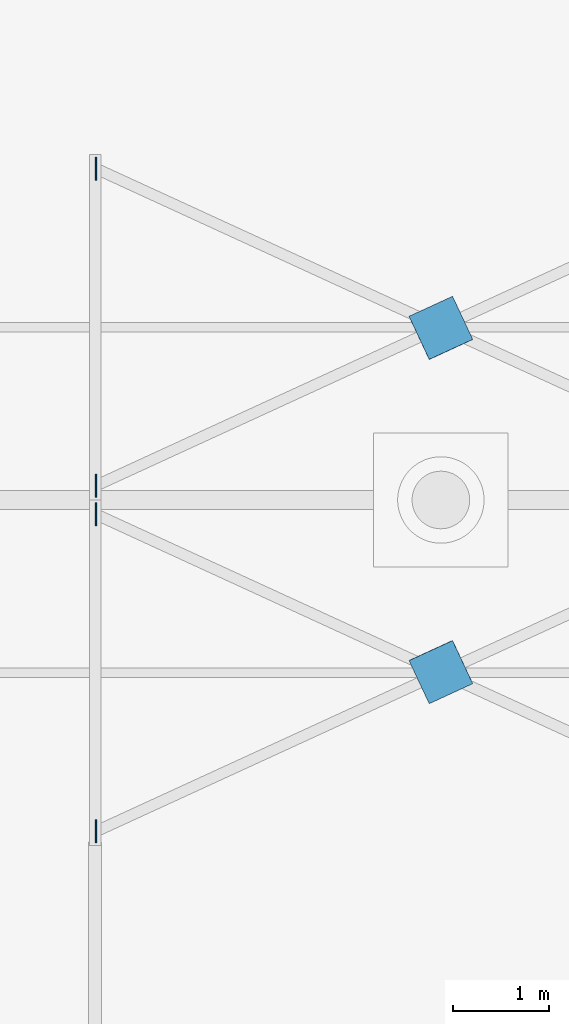
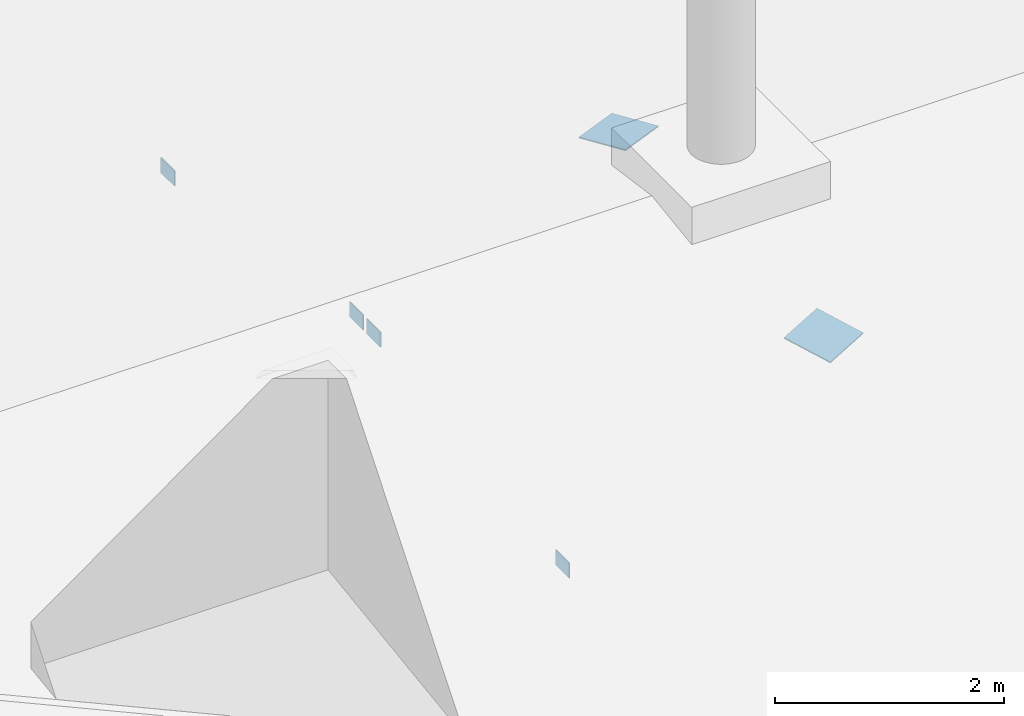
# One storey, part 10 of 24: 6 discrete accessories.
"""IFC4 building model written with IfcOpenShell, lengths in metres."""

import ifcopenshell
import ifcopenshell.guid

model = None  # the IFC model being written
_history = None  # IfcOwnerHistory: only IFC2X3 demands one
_inside = {}  # id of a spatial element -> (the spatial element, [elements in it])
_under = {}  # id of a project, library or spatial element -> (it, [spatial elements below it])
_declared = {}  # id of a project -> (the project, [libraries it declares])
_typed = {}  # id of a type object -> (the type object, [elements of that type])
_made_of = {}  # id of a material, layer set ... -> (it, [elements and type objects made of it])


def new_model(schema):
    """Start an empty IFC model of exactly this schema.

    Asked for "IFC4X3", IfcOpenShell would pick the latest addendum, in which some entities
    have other attributes; the version numbers below select the first issue.
    IFC2X3 requires an IfcOwnerHistory on every rooted entity: one is made here for all.
    """
    global model, _history
    if schema == "IFC4X3":
        model = ifcopenshell.file(schema_version=(4, 3, 0, 0))
    else:
        model = ifcopenshell.file(schema=schema)
    _inside.clear()
    _under.clear()
    _declared.clear()
    _typed.clear()
    _made_of.clear()
    _history = None
    if model.schema == "IFC2X3":
        org = make("IfcOrganization", Name="unknown")
        user = make(
            "IfcPersonAndOrganization",
            ThePerson=make("IfcPerson", FamilyName="unknown"),
            TheOrganization=org,
        )
        app = make(
            "IfcApplication",
            ApplicationDeveloper=org,
            Version="unknown",
            ApplicationFullName="unknown",
            ApplicationIdentifier="unknown",
        )
        _history = make(
            "IfcOwnerHistory",
            OwningUser=user,
            OwningApplication=app,
            ChangeAction="ADDED",
            CreationDate=0,
        )
    return model


def make(cls, **values):
    """One entity of the class cls with the attributes given. An attribute that is None is left unset."""
    return model.create_entity(
        cls, **{name: value for name, value in values.items() if value is not None}
    )


def rooted(cls, **values):
    """An entity with a GlobalId (a new one), such as an element, a storey or a relation."""
    return make(cls, GlobalId=ifcopenshell.guid.new(), OwnerHistory=_history, **values)


def si_unit(unit_type, name, prefix=None):
    """IfcSIUnit, for example si_unit("LENGTHUNIT", "METRE", prefix="MILLI")."""
    return make("IfcSIUnit", UnitType=unit_type, Prefix=prefix, Name=name)


def assignment(units):
    """IfcUnitAssignment: the units of a project."""
    return None if units is None else make("IfcUnitAssignment", Units=units)


def point(xyz):
    """IfcCartesianPoint."""
    return None if xyz is None else make("IfcCartesianPoint", Coordinates=xyz)


def direction(xyz):
    """IfcDirection."""
    return None if xyz is None else make("IfcDirection", DirectionRatios=xyz)


def frame(location, z_axis=None, x_axis=None):
    """IfcAxis2Placement3D, a coordinate frame: its origin and axes. An axis left out is left unset."""
    return make(
        "IfcAxis2Placement3D",
        Location=point(location),
        Axis=direction(z_axis),
        RefDirection=direction(x_axis),
    )


def frame_2d(location, x_axis=None):
    """IfcAxis2Placement2D, a coordinate frame in the plane: its origin and x axis."""
    return make(
        "IfcAxis2Placement2D", Location=point(location), RefDirection=direction(x_axis)
    )


def origin():
    """The frame at (0, 0, 0) with its axes left unset."""
    return frame((0.0, 0.0, 0.0))


def origin_2d():
    """The frame at (0, 0) in the plane with its x axis left unset."""
    return frame_2d((0.0, 0.0))


def place(relative_to, where):
    """IfcLocalPlacement: puts the frame where relative to a parent placement (None: the world)."""
    return make(
        "IfcLocalPlacement", PlacementRelTo=relative_to, RelativePlacement=where
    )


def context(
    kind, dimensions, precision=None, world=None, true_north=None, identifier=None
):
    """IfcGeometricRepresentationContext, for example the 3D "Model" context."""
    return make(
        "IfcGeometricRepresentationContext",
        ContextIdentifier=identifier,
        ContextType=kind,
        CoordinateSpaceDimension=dimensions,
        Precision=precision,
        WorldCoordinateSystem=world,
        TrueNorth=true_north,
    )


def subcontext(parent, identifier, kind, view, scale=None):
    """IfcGeometricRepresentationSubContext, for example "Body" below "Model"."""
    return make(
        "IfcGeometricRepresentationSubContext",
        ContextIdentifier=identifier,
        ContextType=kind,
        ParentContext=parent,
        TargetScale=scale,
        TargetView=view,
    )


def project(units=None, contexts=None):
    """IfcProject with its units and contexts."""
    return rooted(
        "IfcProject",
        Name="project",
        RepresentationContexts=contexts,
        UnitsInContext=assignment(units),
    )


def spatial(cls, under=None, at=None, **own):
    """A site, building, storey or space (cls), placed at a placement, below another one or the project."""
    s = rooted(cls, ObjectPlacement=at, **own)
    if under is not None:
        _under.setdefault(under.id(), (under, []))[1].append(s)
    return s


def profile(cls, at=None, kind="AREA", **sizes):
    """A parametric profile (cls). Its sizes go by their IFC names, for example OverallWidth=200.0."""
    return make(cls, ProfileType=kind, Position=at, **sizes)


def rectangle(**sizes):
    """IfcRectangleProfileDef."""
    return profile("IfcRectangleProfileDef", **sizes)


def extrude(swept, where, along, depth):
    """IfcExtrudedAreaSolid: the profile swept, set in the frame where, extruded along a direction by depth."""
    return make(
        "IfcExtrudedAreaSolid",
        SweptArea=swept,
        Position=where,
        ExtrudedDirection=direction(along),
        Depth=depth,
    )


def shape(context_of_items, identifier, shape_type, items):
    """IfcShapeRepresentation: the items that make up one representation, for example the "Body"."""
    return make(
        "IfcShapeRepresentation",
        ContextOfItems=context_of_items,
        RepresentationIdentifier=identifier,
        RepresentationType=shape_type,
        Items=items,
    )


def material(Name=None, Category=None):
    """IfcMaterial."""
    return make("IfcMaterial", Name=Name, Category=Category)


def material_profile(
    of_material, cross_section, Name=None, Category=None, Priority=None
):
    """IfcMaterialProfile: a cross section and its material."""
    return make(
        "IfcMaterialProfile",
        Name=Name,
        Material=of_material,
        Profile=cross_section,
        Priority=Priority,
        Category=Category,
    )


def profile_set(profiles, Name=None, composite=None):
    """IfcMaterialProfileSet."""
    return make(
        "IfcMaterialProfileSet",
        Name=Name,
        MaterialProfiles=profiles,
        CompositeProfile=composite,
    )


def made_of(thing, what):
    """Note that an element or type object is made of a material, layer set ...; save() writes the relation."""
    if what is not None:
        _made_of.setdefault(what.id(), (what, []))[1].append(thing)
    return thing


def type_object(cls, material=None, **own):
    """A type object (cls), such as IfcWallType, which elements share."""
    return made_of(rooted(cls, **own), material)


def element(
    cls,
    number,
    at=None,
    inside=None,
    cuts=None,
    type_object=None,
    material=None,
    context=None,
    identifier="Body",
    shape_type=None,
    held_by="IfcProductDefinitionShape",
    body=None,
    shapes=None,
    **own,
):
    """One element of the class cls, such as IfcWall. Its Tag is "e" and its number.

    at: its placement. inside: the storey or other place that contains it. cuts: it is an
    opening in that element (IfcRelVoidsElement). A single representation is given by context,
    identifier, shape_type and body (its items); several are given by shapes. held_by: the class
    of the entity that holds the representations. save() writes the other relations.
    """
    e = rooted(cls, Tag="e%d" % number, ObjectPlacement=at, **own)
    if body is not None:
        shapes = [shape(context, identifier, shape_type, body)]
    if shapes is not None:
        e.Representation = make(held_by, Representations=shapes)
    if inside is not None:
        _inside.setdefault(inside.id(), (inside, []))[1].append(e)
    if cuts is not None:
        rooted(
            "IfcRelVoidsElement", RelatingBuildingElement=cuts, RelatedOpeningElement=e
        )
    if type_object is not None:
        _typed.setdefault(type_object.id(), (type_object, []))[1].append(e)
    return made_of(e, material)


def aggregate(whole, parts):
    """IfcRelAggregates: a whole, such as a stair, and the parts it consists of."""
    return rooted("IfcRelAggregates", RelatingObject=whole, RelatedObjects=parts)


def save(model, path):
    """Write the relations noted so far, then the file.

    IfcRelAggregates (storeys below a building ...), IfcRelContainedInSpatialStructure (elements
    in a storey), IfcRelDefinesByType, IfcRelAssociatesMaterial and IfcRelDeclares: one each for
    every whole, place, type object, material and project.
    """
    for whole, parts in _under.values():
        aggregate(whole, parts)
    for where, things in _inside.values():
        rooted(
            "IfcRelContainedInSpatialStructure",
            RelatedElements=things,
            RelatingStructure=where,
        )
    for kind, things in _typed.values():
        rooted("IfcRelDefinesByType", RelatedObjects=things, RelatingType=kind)
    for what, things in _made_of.values():
        rooted("IfcRelAssociatesMaterial", RelatedObjects=things, RelatingMaterial=what)
    for by, libraries in _declared.values():
        rooted("IfcRelDeclares", RelatingContext=by, RelatedDefinitions=libraries)
    model.write(path)


model = new_model("IFC4")

# Units and contexts
model_context = context("Model", 3, precision=1e-05, world=origin(), true_north=direction((0.0, 1.0)))
body_context = subcontext(model_context, "Body", "Model", "MODEL_VIEW")
ifc_project = project(units=[si_unit("LENGTHUNIT", "METRE"), si_unit("AREAUNIT", "SQUARE_METRE"), si_unit("VOLUMEUNIT", "CUBIC_METRE"), si_unit("PLANEANGLEUNIT", "RADIAN"), si_unit("MASSUNIT", "GRAM", prefix="KILO")], contexts=[model_context])

# Site, building, storey
site_placement = place(None, origin())
site = spatial("IfcSite", under=ifc_project, at=site_placement, CompositionType="ELEMENT")
building_placement = place(site_placement, origin())
building = spatial("IfcBuilding", under=site, at=building_placement, Name="Ussher Court Research Institute", CompositionType="ELEMENT")
storey_placement = place(building_placement, frame((0.0, 0.0, 32.39990234375)))
storey = spatial("IfcBuildingStorey", under=building, at=storey_placement, Name="L07", CompositionType="ELEMENT", Elevation=32.39990234375)

# Discrete accessories
ifc_material_1 = material(Name="Steel S355", Category="steel")
ifc_material_profile_1 = material_profile(ifc_material_1, rectangle(XDim=0.011962890625, YDim=0.239990234375, at=origin_2d()), Name="PL 12x240")
ifc_profile_set_1 = profile_set([ifc_material_profile_1], Name="Steel S355")
discrete_accessory_type_1 = type_object("IfcDiscreteAccessoryType", Name="End plate 12 mm", PredefinedType="ANCHORPLATE", material=ifc_profile_set_1)
for number, where, z_axis, x_axis, name in (
    (1, (60.609130859375, 76.14990234375, 0.569580078125), (0.0, 0.0, 1.0), (1.0, 0.0, 0.0), "GP2 V5 L07-21"),
    (2, (60.609130859375, 79.449951171875, 1.033447265625), (0.0, 0.0, 1.0), (1.0, 0.0, 0.0), "GP2 V5 L07-23"),
    (3, (60.609130859375, 79.75, 1.033447265625), (0.0, 0.0, 1.0), (1.0, 0.0, 0.0), "GP2 V5 L07-33"),
    (4, (60.609130859375, 83.050048828125, 0.569580078125), (0.0, 0.0, 1.0), (1.0, 0.0, 0.0), "GP2 V5 L07-35"),
):
    element("IfcDiscreteAccessory", number, at=place(storey_placement, frame(where, z_axis=z_axis, x_axis=x_axis)), inside=storey, type_object=discrete_accessory_type_1, Name=name, PredefinedType="ANCHORPLATE", context=body_context, shape_type="SweptSolid", body=[
        extrude(rectangle(XDim=0.011962890625, YDim=0.239990234375, at=origin_2d()), origin(), (0.0, 0.0, 1.0), 0.16015625),
    ])
ifc_material_2 = material(Name="Steel S355", Category="steel")
ifc_material_profile_2 = material_profile(ifc_material_2, rectangle(XDim=0.5, YDim=0.011962890625, at=origin_2d()), Name="PL 500x12")
ifc_profile_set_2 = profile_set([ifc_material_profile_2], Name="Steel S355")
discrete_accessory_type_2 = type_object("IfcDiscreteAccessoryType", Name="Gusset plate 12 mm", PredefinedType="ANCHORPLATE", material=ifc_profile_set_2)
for number, where, z_axis, x_axis, name in (
    (5, (63.97314453125, 77.7041015625, 0.8076171875), (0.90705616638, 0.416913867647, 0.058582744868), (0.421009632756, -0.89822775715, -0.126244942123), "GP1 V5 L07-06"),
    (6, (63.97314453125, 81.287353515625, 0.8369140625), (0.90705616638, 0.416913867647, -0.058582744868), (0.421009632756, -0.89822775715, 0.126244942123), "GP1 V5 L07-09"),
):
    element("IfcDiscreteAccessory", number, at=place(storey_placement, frame(where, z_axis=z_axis, x_axis=x_axis)), inside=storey, type_object=discrete_accessory_type_2, Name=name, PredefinedType="ANCHORPLATE", context=body_context, shape_type="SweptSolid", body=[
        extrude(rectangle(XDim=0.5, YDim=0.011962890625, at=origin_2d()), origin(), (0.0, 0.0, 1.0), 0.5),
    ])

save(model, "model.ifc")
